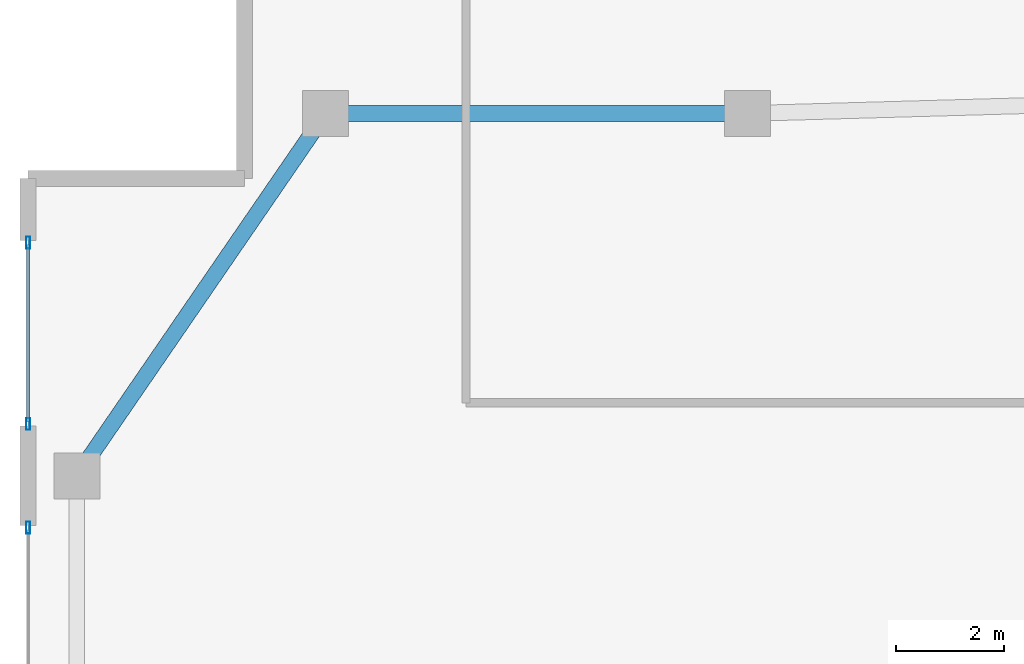
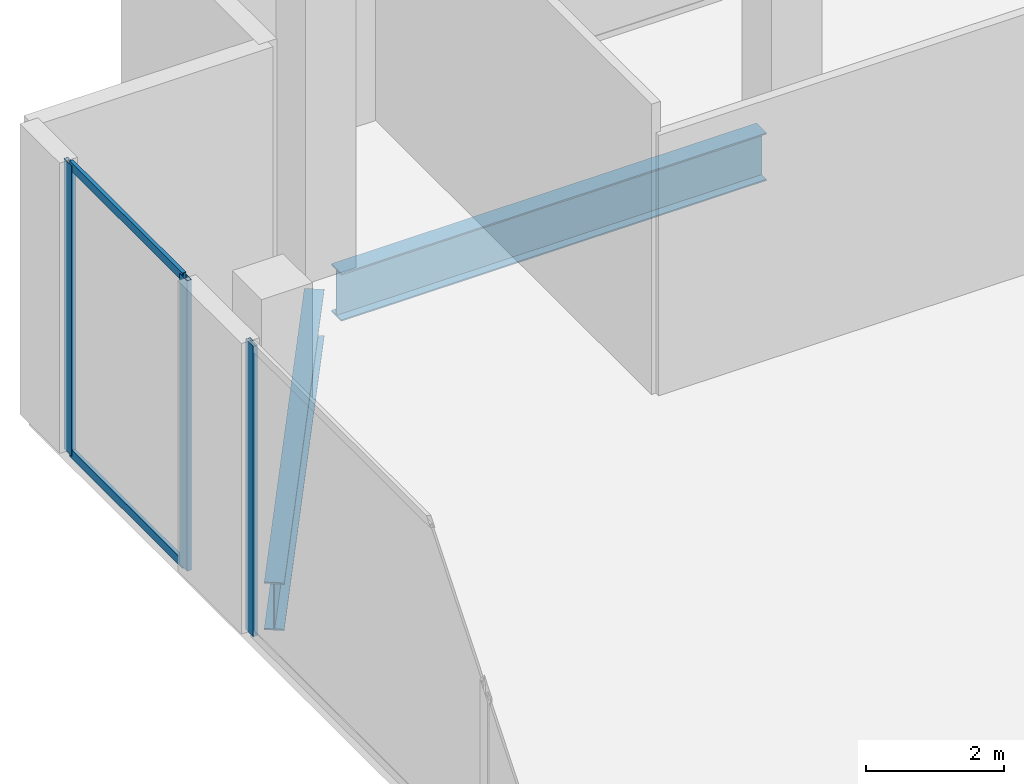
# One storey, part 12 of 30: 5 members, 2 beams, 2 elements without a shape of their own.
"""IFC4 building model written with IfcOpenShell, lengths in metres."""

from ifc_helpers import new_model, si_unit, direction, frame, origin, origin_2d, place, context, subcontext, project, spatial, hollow_rectangle, i_section, extrude, material, layer, layer_set, material_profile, profile_set, type_object, element, aggregate, save


model = new_model("IFC4")

# Units and contexts
model_context = context("Model", 3, precision=1e-05, world=origin(), true_north=direction((0.0, 1.0)))
body_context = subcontext(model_context, "Body", "Model", "MODEL_VIEW")
ifc_project = project(units=[si_unit("LENGTHUNIT", "METRE"), si_unit("AREAUNIT", "SQUARE_METRE"), si_unit("VOLUMEUNIT", "CUBIC_METRE"), si_unit("PLANEANGLEUNIT", "RADIAN"), si_unit("MASSUNIT", "GRAM", prefix="KILO")], contexts=[model_context])

# Site, building, storey
site_placement = place(None, origin())
site = spatial("IfcSite", under=ifc_project, at=site_placement, CompositionType="ELEMENT")
building_placement = place(site_placement, origin())
building = spatial("IfcBuilding", under=site, at=building_placement, Name="Zuhayl Quay Hotel", CompositionType="ELEMENT")
storey_placement = place(building_placement, frame((0.0, 0.0, 6.0)))
storey = spatial("IfcBuildingStorey", under=building, at=storey_placement, Name="L01", CompositionType="ELEMENT", Elevation=6.0)

# Beams
ifc_material_1 = material(Name="Steel ASTM A992 Grade 50", Category="steel")
ifc_material_profile_1 = material_profile(ifc_material_1, i_section(OverallWidth=0.2919921875, OverallDepth=0.845947265625, WebThickness=0.015380859375, FlangeThickness=0.0244140625, at=origin_2d()), Name="W33X141")
ifc_profile_set_1 = profile_set([ifc_material_profile_1], Name="Steel ASTM A992 Grade 50")
beam_type = type_object("IfcBeamType", Name="BM_PG3_W33X141", PredefinedType="BEAM", material=ifc_profile_set_1)
beam_1_placement = place(storey_placement, frame((-30.159912109375, 22.199951171875, -0.673095703125), z_axis=(1.0, 0.0, 0.0), x_axis=(0.0, 1.0, 0.0)))
element("IfcBeam", 1, at=beam_1_placement, inside=storey, type_object=beam_type, Name="L01 Floor Beam PG_N_L01_0", PredefinedType="BEAM", context=body_context, shape_type="SweptSolid", body=[
    extrude(i_section(OverallWidth=0.2919921875, OverallDepth=0.845947265625, WebThickness=0.015380859375, FlangeThickness=0.0244140625, at=origin_2d()), origin(), (0.0, 0.0, 1.0), 7.119873046875),
])
beam_2_placement = place(storey_placement, frame((-34.90771484375, 15.7802734375, -0.673095703125), z_axis=(0.566026455068, 0.824387076659, 0.0), x_axis=(-0.824387076659, 0.566026455068, 0.0)))
element("IfcBeam", 2, at=beam_2_placement, inside=storey, type_object=beam_type, Name="L01 Floor Beam PG_W_L01_3", PredefinedType="BEAM", context=body_context, shape_type="SweptSolid", body=[
    extrude(i_section(OverallWidth=0.2919921875, OverallDepth=0.845947265625, WebThickness=0.015380859375, FlangeThickness=0.0244140625, at=origin_2d()), origin(), (0.0, 0.0, 1.0), 7.447265625),
])

# Curtain wall, member
ifc_material_2 = material(Name="Anodised Aluminium 6063-T6", Category="aluminium")
ifc_layer = layer(ifc_material_2, 0.199951171875, Name="Anodised Aluminium 6063-T6", Category="aluminium")
ifc_layer_set = layer_set([ifc_layer], Name="Anodised Aluminium 6063-T6")
curtain_wall_type = type_object("IfcCurtainWallType", Name="CW_SYS_POD", PredefinedType="USERDEFINED", material=ifc_layer_set)
curtain_wall_1_placement = place(storey_placement, origin())
curtain_wall_1 = element("IfcCurtainWall", 3, at=curtain_wall_1_placement, inside=storey, type_object=curtain_wall_type, Name="L01 Curtain Wall ENV_L01_E02_CW3", ObjectType="UNITISED CURTAIN WALL", PredefinedType="USERDEFINED")
ifc_material_3 = material(Name="Black-anodised aluminium 6063-T6", Category="aluminium")
ifc_material_profile_2 = material_profile(ifc_material_3, hollow_rectangle(XDim=0.074951171875, YDim=0.219970703125, WallThickness=0.00390625, at=origin_2d()), Name="ALU220X75")
ifc_profile_set_2 = profile_set([ifc_material_profile_2], Name="Black-anodised aluminium 6063-T6")
member_type_1 = type_object("IfcMemberType", Name="MB_CW_MUL_220", PredefinedType="MULLION", material=ifc_profile_set_2)
member_1_placement = place(storey_placement, frame((-36.0, 14.54248046875, 0.0), z_axis=(0.0, 0.0, 1.0), x_axis=(-1.0, 0.0, 0.0)))
member_1 = element("IfcMember", 4, at=member_1_placement, type_object=member_type_1, Name="CW-POD mullion 3", PredefinedType="MULLION", context=body_context, shape_type="SweptSolid", body=[
    extrude(hollow_rectangle(XDim=0.074951171875, YDim=0.219970703125, WallThickness=0.00390625, at=origin_2d()), origin(), (0.0, 0.0, 1.0), 5.139892578125),
])
aggregate(curtain_wall_1, [member_1])

# Curtain wall, members
curtain_wall_2_placement = place(storey_placement, origin())
curtain_wall_2 = element("IfcCurtainWall", 5, at=curtain_wall_2_placement, inside=storey, type_object=curtain_wall_type, Name="L01 Curtain Wall ENV_L01_E02_CW4", ObjectType="UNITISED CURTAIN WALL", PredefinedType="USERDEFINED")
member_2_placement = place(storey_placement, frame((-36.0, 16.45751953125, 0.0), z_axis=(0.0, 0.0, 1.0), x_axis=(-1.0, 0.0, 0.0)))
member_2 = element("IfcMember", 6, at=member_2_placement, type_object=member_type_1, Name="CW-POD mullion 1", PredefinedType="MULLION", context=body_context, shape_type="SweptSolid", body=[
    extrude(hollow_rectangle(XDim=0.074951171875, YDim=0.219970703125, WallThickness=0.00390625, at=origin_2d()), origin(), (0.0, 0.0, 1.0), 5.139892578125),
])
member_3_placement = place(storey_placement, frame((-36.0, 19.8125, 0.0), z_axis=(0.0, 0.0, 1.0), x_axis=(-1.0, 0.0, 0.0)))
member_3 = element("IfcMember", 7, at=member_3_placement, type_object=member_type_1, Name="CW-POD mullion 2", PredefinedType="MULLION", context=body_context, shape_type="SweptSolid", body=[
    extrude(hollow_rectangle(XDim=0.074951171875, YDim=0.219970703125, WallThickness=0.00390625, at=origin_2d()), origin(), (0.0, 0.0, 1.0), 5.139892578125),
])
ifc_material_profile_3 = material_profile(ifc_material_3, hollow_rectangle(XDim=0.06005859375, YDim=0.14990234375, WallThickness=0.00341796875, at=origin_2d()), Name="ALU150X60")
ifc_profile_set_3 = profile_set([ifc_material_profile_3], Name="Black-anodised aluminium 6063-T6")
member_type_2 = type_object("IfcMemberType", Name="MB_CW_TRN_150", PredefinedType="USERDEFINED", material=ifc_profile_set_3)
member_4_placement = place(storey_placement, frame((-36.0, 16.4951171875, 0.030029296875), z_axis=(0.0, 1.0, 0.0), x_axis=(-1.0, 0.0, 0.0)))
member_4 = element("IfcMember", 8, at=member_4_placement, type_object=member_type_2, Name="CW-POD transom 1.1", ObjectType="TRANSOM", PredefinedType="USERDEFINED", context=body_context, shape_type="SweptSolid", body=[
    extrude(hollow_rectangle(XDim=0.06005859375, YDim=0.14990234375, WallThickness=0.00341796875, at=origin_2d()), origin(), (0.0, 0.0, 1.0), 3.27978515625),
])
member_5_placement = place(storey_placement, frame((-36.0, 16.4951171875, 5.110107421875), z_axis=(0.0, 1.0, 0.0), x_axis=(-1.0, 0.0, 0.0)))
member_5 = element("IfcMember", 9, at=member_5_placement, type_object=member_type_2, Name="CW-POD transom 1.2", ObjectType="TRANSOM", PredefinedType="USERDEFINED", context=body_context, shape_type="SweptSolid", body=[
    extrude(hollow_rectangle(XDim=0.06005859375, YDim=0.14990234375, WallThickness=0.00341796875, at=origin_2d()), origin(), (0.0, 0.0, 1.0), 3.27978515625),
])
aggregate(curtain_wall_2, [member_2, member_3, member_4, member_5])

save(model, "model.ifc")
